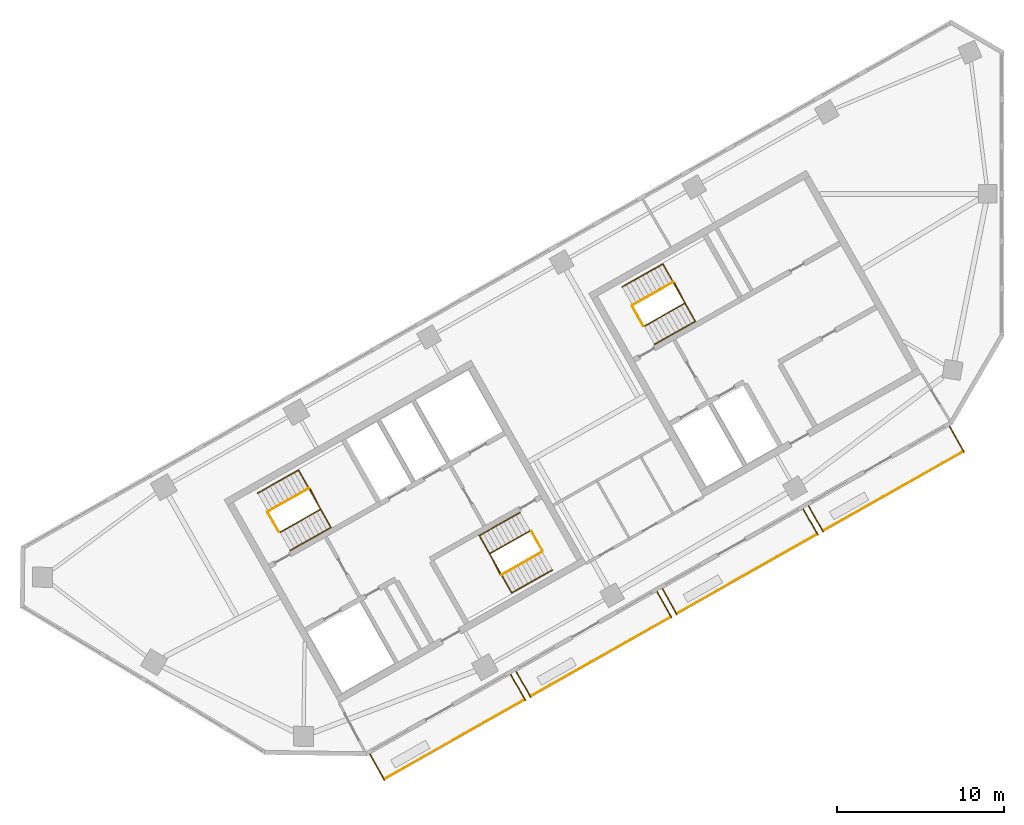
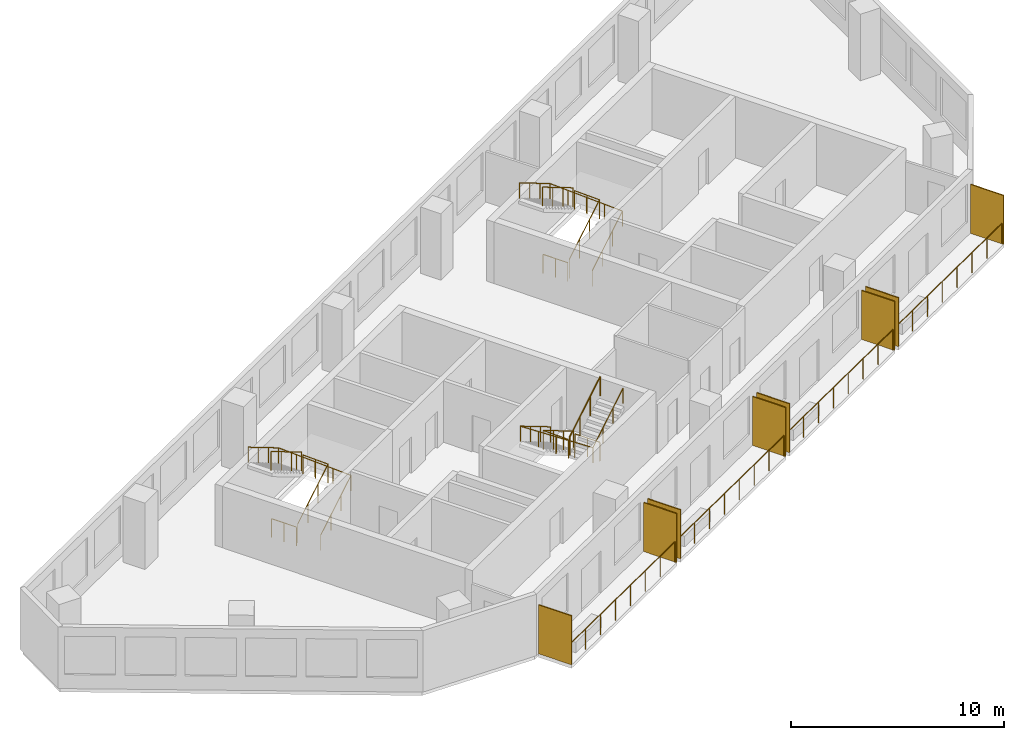
# One storey, part 6 of 7: 16 railings, 8 shading devices.
"""IFC4 building model written with IfcOpenShell, lengths in metres."""

from ifc_helpers import new_model, si_unit, direction, frame, origin, origin_2d, place, context, subcontext, project, spatial, rectangle, circle, extrude, material, layer, layer_set, type_object, element, save


model = new_model("IFC4")

# Units and contexts
model_context = context("Model", 3, precision=1e-05, world=origin(), true_north=direction((0.0, 1.0)))
body_context = subcontext(model_context, "Body", "Model", "MODEL_VIEW")
ifc_project = project(units=[si_unit("LENGTHUNIT", "METRE"), si_unit("AREAUNIT", "SQUARE_METRE"), si_unit("VOLUMEUNIT", "CUBIC_METRE"), si_unit("PLANEANGLEUNIT", "RADIAN"), si_unit("MASSUNIT", "GRAM", prefix="KILO")], contexts=[model_context])

# Site, building, storey
site_placement = place(None, origin())
site = spatial("IfcSite", under=ifc_project, at=site_placement, CompositionType="ELEMENT")
building_placement = place(site_placement, origin())
building = spatial("IfcBuilding", under=site, at=building_placement, Name="Binnacle Exchange Tower", CompositionType="ELEMENT")
storey_placement = place(building_placement, frame((0.0, 0.0, 304.5)))
storey = spatial("IfcBuildingStorey", under=building, at=storey_placement, Name="L68", CompositionType="ELEMENT", Elevation=304.5)

# Railings
ifc_material_1 = material(Name="Bronze anodised aluminium frame", Category="aluminium")
railing_type_1 = type_object("IfcRailingType", Name="GUARD 1200", PredefinedType="GUARDRAIL", material=ifc_material_1)
for number, where, name in (
    (1, (-37.006591796875, 24.94287109375, 0.0), "Balcony guard H07-B00 L68"),
    (2, (-28.24365234375, 29.900634765625, 0.0), "Balcony guard H07-B01 L68"),
):
    element("IfcRailing", number, at=place(storey_placement, frame(where)), inside=storey, type_object=railing_type_1, Name=name, PredefinedType="GUARDRAIL", context=body_context, shape_type="SweptSolid", body=[
        extrude(circle(Radius=0.02392578125, at=origin_2d()), frame((0.0, 0.0, 1.17578125), z_axis=(0.870359171481, 0.492417417055, 0.0), x_axis=(-0.492417417055, 0.870359171481, 0.0)), (0.0, 0.0, 1.0), 9.648193359375),
        extrude(circle(Radius=0.02099609375, at=origin_2d()), origin(), (0.0, 0.0, 1.0), 1.15185546875),
        extrude(circle(Radius=0.02099609375, at=origin_2d()), frame((1.19970703125, 0.6787109375, 0.0)), (0.0, 0.0, 1.0), 1.15185546875),
        extrude(circle(Radius=0.02099609375, at=origin_2d()), frame((2.399169921875, 1.357421875, 0.0)), (0.0, 0.0, 1.0), 1.15185546875),
        extrude(circle(Radius=0.02099609375, at=origin_2d()), frame((3.598876953125, 2.0361328125, 0.0)), (0.0, 0.0, 1.0), 1.15185546875),
        extrude(circle(Radius=0.02099609375, at=origin_2d()), frame((4.798583984375, 2.71484375, 0.0)), (0.0, 0.0, 1.0), 1.15185546875),
        extrude(circle(Radius=0.02099609375, at=origin_2d()), frame((5.998291015625, 3.3935546875, 0.0)), (0.0, 0.0, 1.0), 1.15185546875),
        extrude(circle(Radius=0.02099609375, at=origin_2d()), frame((7.19775390625, 4.072265625, 0.0)), (0.0, 0.0, 1.0), 1.15185546875),
        extrude(circle(Radius=0.02099609375, at=origin_2d()), frame((8.3974609375, 4.7509765625, 0.0)), (0.0, 0.0, 1.0), 1.15185546875),
    ])
railing_1_placement = place(storey_placement, frame((-19.480712890625, 34.8583984375, 0.0)))
element("IfcRailing", 3, at=railing_1_placement, inside=storey, type_object=railing_type_1, Name="Balcony guard H07-B02 L68", PredefinedType="GUARDRAIL", context=body_context, shape_type="SweptSolid", body=[
    extrude(circle(Radius=0.02392578125, at=origin_2d()), frame((0.0, 0.0, 1.17578125), z_axis=(0.870342190373, 0.492447430349, 0.0), x_axis=(-0.492447430349, 0.870342190373, 0.0)), (0.0, 0.0, 1.0), 9.648193359375),
    extrude(circle(Radius=0.02099609375, at=origin_2d()), origin(), (0.0, 0.0, 1.0), 1.15185546875),
    extrude(circle(Radius=0.02099609375, at=origin_2d()), frame((1.19970703125, 0.6787109375, 0.0)), (0.0, 0.0, 1.0), 1.15185546875),
    extrude(circle(Radius=0.02099609375, at=origin_2d()), frame((2.399169921875, 1.357421875, 0.0)), (0.0, 0.0, 1.0), 1.15185546875),
    extrude(circle(Radius=0.02099609375, at=origin_2d()), frame((3.598876953125, 2.0361328125, 0.0)), (0.0, 0.0, 1.0), 1.15185546875),
    extrude(circle(Radius=0.02099609375, at=origin_2d()), frame((4.79833984375, 2.715087890625, 0.0)), (0.0, 0.0, 1.0), 1.15185546875),
    extrude(circle(Radius=0.02099609375, at=origin_2d()), frame((5.998046875, 3.393798828125, 0.0)), (0.0, 0.0, 1.0), 1.15185546875),
    extrude(circle(Radius=0.02099609375, at=origin_2d()), frame((7.197509765625, 4.072509765625, 0.0)), (0.0, 0.0, 1.0), 1.15185546875),
    extrude(circle(Radius=0.02099609375, at=origin_2d()), frame((8.397216796875, 4.751220703125, 0.0)), (0.0, 0.0, 1.0), 1.15185546875),
])
railing_2_placement = place(storey_placement, frame((-10.7177734375, 39.81640625, 0.0)))
element("IfcRailing", 4, at=railing_2_placement, inside=storey, type_object=railing_type_1, Name="Balcony guard H07-B03 L68", PredefinedType="GUARDRAIL", context=body_context, shape_type="SweptSolid", body=[
    extrude(circle(Radius=0.02392578125, at=origin_2d()), frame((0.0, 0.0, 1.17578125), z_axis=(0.870353035673, 0.492428262079, 0.0), x_axis=(-0.492428262079, 0.870353035673, 0.0)), (0.0, 0.0, 1.0), 9.64794921875),
    extrude(circle(Radius=0.02099609375, at=origin_2d()), origin(), (0.0, 0.0, 1.0), 1.15185546875),
    extrude(circle(Radius=0.02099609375, at=origin_2d()), frame((1.19970703125, 0.6787109375, 0.0)), (0.0, 0.0, 1.0), 1.15185546875),
    extrude(circle(Radius=0.02099609375, at=origin_2d()), frame((2.399169921875, 1.357421875, 0.0)), (0.0, 0.0, 1.0), 1.15185546875),
    extrude(circle(Radius=0.02099609375, at=origin_2d()), frame((3.598876953125, 2.0361328125, 0.0)), (0.0, 0.0, 1.0), 1.15185546875),
    extrude(circle(Radius=0.02099609375, at=origin_2d()), frame((4.79833984375, 2.71484375, 0.0)), (0.0, 0.0, 1.0), 1.15185546875),
    extrude(circle(Radius=0.02099609375, at=origin_2d()), frame((5.998046875, 3.3935546875, 0.0)), (0.0, 0.0, 1.0), 1.15185546875),
    extrude(circle(Radius=0.02099609375, at=origin_2d()), frame((7.197509765625, 4.072265625, 0.0)), (0.0, 0.0, 1.0), 1.15185546875),
    extrude(circle(Radius=0.02099609375, at=origin_2d()), frame((8.397216796875, 4.7509765625, 0.0)), (0.0, 0.0, 1.0), 1.15185546875),
])

# Shading devices
ifc_material_2 = material(Name="Bronze aluminium louvre", Category="aluminium")
ifc_layer = layer(ifc_material_2, 0.06005859375)
ifc_layer_set = layer_set([ifc_layer], Name="PLANTED SCREEN 60x2800")
shading_device_type = type_object("IfcShadingDeviceType", Name="PLANTED SCREEN 60x2800", PredefinedType="USERDEFINED", material=ifc_layer_set)
for number, where, z_axis, x_axis, name in (
    (5, (-37.436279296875, 25.641845703125, 0.0), (0.0, 0.0, 1.0), (0.87035569594, 0.492423560103, 0.0), "Planted screen H07-B00a L68"),
    (6, (-28.98681640625, 30.42236328125, 0.0), (0.0, 0.0, 1.0), (0.87035569594, 0.492423560103, 0.0), "Planted screen H07-B00b L68"),
    (7, (-28.673583984375, 30.599609375, 0.0), (0.0, 0.0, 1.0), (0.87035569594, 0.492423560103, 0.0), "Planted screen H07-B01a L68"),
    (8, (-20.223876953125, 35.380126953125, 0.0), (0.0, 0.0, 1.0), (0.87035569594, 0.492423560103, 0.0), "Planted screen H07-B01b L68"),
    (9, (-19.91064453125, 35.5576171875, 0.0), (0.0, 0.0, 1.0), (0.87035569594, 0.492423560103, 0.0), "Planted screen H07-B02a L68"),
    (10, (-11.461181640625, 40.337890625, 0.0), (0.0, 0.0, 1.0), (0.87035569594, 0.492423560103, 0.0), "Planted screen H07-B02b L68"),
    (11, (-11.147705078125, 40.51513671875, 0.0), (0.0, 0.0, 1.0), (0.87035569594, 0.492423560103, 0.0), "Planted screen H07-B03a L68"),
    (12, (-2.697998046875, 45.2958984375, 0.0), (0.0, 0.0, 1.0), (0.87035569594, 0.492423560103, 0.0), "Planted screen H07-B03b L68"),
):
    element("IfcShadingDevice", number, at=place(storey_placement, frame(where, z_axis=z_axis, x_axis=x_axis)), inside=storey, type_object=shading_device_type, Name=name, ObjectType="SCREEN", PredefinedType="USERDEFINED", context=body_context, shape_type="SweptSolid", body=[
        extrude(rectangle(XDim=0.06005859375, YDim=1.800048828125, at=origin_2d()), origin(), (0.0, 0.0, 1.0), 2.800048828125),
    ])

# Railings
ifc_material_3 = material(Name="Steel guard rail", Category="steel")
railing_type_2 = type_object("IfcRailingType", Name="STAIR GUARD 1100", PredefinedType="GUARDRAIL", material=ifc_material_3)
railing_3_placement = place(storey_placement, frame((-43.26171875, 39.71728515625, 0.172607421875)))
element("IfcRailing", 13, at=railing_3_placement, inside=storey, type_object=railing_type_2, Name="L68 STA1 stair guard 1", PredefinedType="GUARDRAIL", context=body_context, shape_type="SweptSolid", body=[
    extrude(circle(Radius=0.02392578125, at=origin_2d()), frame((0.0, 0.0, 1.076171875), z_axis=(0.740737961854, 0.419123222656, 0.525017138862), x_axis=(-0.492453686477, 0.870338650569, 0.0)), (0.0, 0.0, 1.0), 3.2900390625),
    extrude(circle(Radius=0.02392578125, at=origin_2d()), frame((2.43701171875, 1.37890625, 2.80322265625), z_axis=(-0.461100321709, 0.887348011391, 0.0), x_axis=(-0.887348011391, -0.461100321709, 0.0)), (0.0, 0.0, 1.0), 1.40087890625),
    extrude(circle(Radius=0.02099609375, at=origin_2d()), origin(), (0.0, 0.0, 1.0), 1.052001953125),
    extrude(circle(Radius=0.02099609375, at=origin_2d()), frame((0.812255859375, 0.459716796875, 0.57568359375)), (0.0, 0.0, 1.0), 1.052001953125),
    extrude(circle(Radius=0.02099609375, at=origin_2d()), frame((1.624755859375, 0.919189453125, 1.151611328125)), (0.0, 0.0, 1.0), 1.052001953125),
    extrude(circle(Radius=0.02099609375, at=origin_2d()), frame((2.43701171875, 1.37890625, 1.727294921875)), (0.0, 0.0, 1.0), 1.052001953125),
    extrude(circle(Radius=0.02099609375, at=origin_2d()), frame((2.114013671875, 2.00048828125, 1.727294921875)), (0.0, 0.0, 1.0), 1.052001953125),
    extrude(circle(Radius=0.02099609375, at=origin_2d()), frame((1.791015625, 2.6220703125, 1.727294921875)), (0.0, 0.0, 1.0), 1.052001953125),
])
railing_4_placement = place(storey_placement, frame((-41.538818359375, 42.358154296875, 2.07275390625)))
element("IfcRailing", 14, at=railing_4_placement, inside=storey, type_object=railing_type_2, Name="L68 STA1 stair guard 2", PredefinedType="GUARDRAIL", context=body_context, shape_type="SweptSolid", body=[
    extrude(circle(Radius=0.02392578125, at=origin_2d()), frame((0.0, 0.0, 1.076171875), z_axis=(-0.740737961854, -0.419123222656, 0.525017138862), x_axis=(0.492453686477, -0.870338650569, 0.0)), (0.0, 0.0, 1.0), 3.2900390625),
    extrude(circle(Radius=0.02099609375, at=origin_2d()), origin(), (0.0, 0.0, 1.0), 1.052001953125),
    extrude(circle(Radius=0.02099609375, at=origin_2d()), frame((-0.812255859375, -0.459716796875, 0.57568359375)), (0.0, 0.0, 1.0), 1.052001953125),
    extrude(circle(Radius=0.02099609375, at=origin_2d()), frame((-1.624755859375, -0.919189453125, 1.151611328125)), (0.0, 0.0, 1.0), 1.052001953125),
    extrude(circle(Radius=0.02099609375, at=origin_2d()), frame((-2.43701171875, -1.37890625, 1.727294921875)), (0.0, 0.0, 1.0), 1.052001953125),
])
railing_5_placement = place(storey_placement, frame((-43.329833984375, 39.736328125, 0.0)))
element("IfcRailing", 15, at=railing_5_placement, inside=storey, type_object=railing_type_2, Name="L68 STA1 stair guard 3", PredefinedType="GUARDRAIL", context=body_context, shape_type="SweptSolid", body=[
    extrude(circle(Radius=0.02392578125, at=origin_2d()), frame((0.0, 0.0, 1.076171875), z_axis=(-0.4924922531, 0.870316827734, 0.0), x_axis=(-0.870316827734, -0.4924922531, 0.0)), (0.0, 0.0, 1.0), 1.349853515625),
    extrude(circle(Radius=0.02099609375, at=origin_2d()), origin(), (0.0, 0.0, 1.0), 1.052001953125),
    extrude(circle(Radius=0.02099609375, at=origin_2d()), frame((-0.33251953125, 0.58740234375, 0.0)), (0.0, 0.0, 1.0), 1.052001953125),
    extrude(circle(Radius=0.02099609375, at=origin_2d()), frame((-0.664794921875, 1.1748046875, 0.0)), (0.0, 0.0, 1.0), 1.052001953125),
])
railing_6_placement = place(storey_placement, frame((-28.265380859375, 39.814453125, 0.172607421875)))
element("IfcRailing", 16, at=railing_6_placement, inside=storey, type_object=railing_type_2, Name="L68 STA2 stair guard 1", PredefinedType="GUARDRAIL", context=body_context, shape_type="SweptSolid", body=[
    extrude(circle(Radius=0.02392578125, at=origin_2d()), frame((0.0, 0.0, 1.076171875), z_axis=(-0.740760999345, -0.419062048017, 0.525033467278), x_axis=(0.492387636113, -0.870376019777, 0.0)), (0.0, 0.0, 1.0), 3.289794921875),
    extrude(circle(Radius=0.02392578125, at=origin_2d()), frame((-2.43701171875, -1.378662109375, 2.80322265625), z_axis=(0.460963092712, -0.887419307406, 0.0), x_axis=(0.887419307406, 0.460963092712, 0.0)), (0.0, 0.0, 1.0), 1.40087890625),
    extrude(circle(Radius=0.02099609375, at=origin_2d()), origin(), (0.0, 0.0, 1.0), 1.052001953125),
    extrude(circle(Radius=0.02099609375, at=origin_2d()), frame((-0.812255859375, -0.45947265625, 0.57568359375)), (0.0, 0.0, 1.0), 1.052001953125),
    extrude(circle(Radius=0.02099609375, at=origin_2d()), frame((-1.624755859375, -0.919189453125, 1.151611328125)), (0.0, 0.0, 1.0), 1.052001953125),
    extrude(circle(Radius=0.02099609375, at=origin_2d()), frame((-2.43701171875, -1.378662109375, 1.727294921875)), (0.0, 0.0, 1.0), 1.052001953125),
    extrude(circle(Radius=0.02099609375, at=origin_2d()), frame((-2.1142578125, -2.000244140625, 1.727294921875)), (0.0, 0.0, 1.0), 1.052001953125),
    extrude(circle(Radius=0.02099609375, at=origin_2d()), frame((-1.791259765625, -2.621826171875, 1.727294921875)), (0.0, 0.0, 1.0), 1.052001953125),
])
railing_7_placement = place(storey_placement, frame((-29.988525390625, 37.173583984375, 2.07275390625)))
element("IfcRailing", 17, at=railing_7_placement, inside=storey, type_object=railing_type_2, Name="L68 STA2 stair guard 2", PredefinedType="GUARDRAIL", context=body_context, shape_type="SweptSolid", body=[
    extrude(circle(Radius=0.02392578125, at=origin_2d()), frame((0.0, 0.0, 1.076171875), z_axis=(0.740737961854, 0.419123222656, 0.525017138862), x_axis=(-0.492453686477, 0.870338650569, 0.0)), (0.0, 0.0, 1.0), 3.2900390625),
    extrude(circle(Radius=0.02099609375, at=origin_2d()), origin(), (0.0, 0.0, 1.0), 1.052001953125),
    extrude(circle(Radius=0.02099609375, at=origin_2d()), frame((0.812255859375, 0.459716796875, 0.57568359375)), (0.0, 0.0, 1.0), 1.052001953125),
    extrude(circle(Radius=0.02099609375, at=origin_2d()), frame((1.624755859375, 0.919189453125, 1.151611328125)), (0.0, 0.0, 1.0), 1.052001953125),
    extrude(circle(Radius=0.02099609375, at=origin_2d()), frame((2.43701171875, 1.37890625, 1.727294921875)), (0.0, 0.0, 1.0), 1.052001953125),
])
railing_8_placement = place(storey_placement, frame((-28.197265625, 39.795654296875, 0.0)))
element("IfcRailing", 18, at=railing_8_placement, inside=storey, type_object=railing_type_2, Name="L68 STA2 stair guard 3", PredefinedType="GUARDRAIL", context=body_context, shape_type="SweptSolid", body=[
    extrude(circle(Radius=0.02392578125, at=origin_2d()), frame((0.0, 0.0, 1.076171875), z_axis=(0.49241474071, -0.870360685654, 0.0), x_axis=(0.870360685654, 0.49241474071, 0.0)), (0.0, 0.0, 1.0), 1.35009765625),
    extrude(circle(Radius=0.02099609375, at=origin_2d()), origin(), (0.0, 0.0, 1.0), 1.052001953125),
    extrude(circle(Radius=0.02099609375, at=origin_2d()), frame((0.33251953125, -0.58740234375, 0.0)), (0.0, 0.0, 1.0), 1.052001953125),
    extrude(circle(Radius=0.02099609375, at=origin_2d()), frame((0.664794921875, -1.175048828125, 0.0)), (0.0, 0.0, 1.0), 1.052001953125),
])
railing_9_placement = place(storey_placement, frame((-21.423828125, 52.07275390625, 0.172607421875)))
element("IfcRailing", 19, at=railing_9_placement, inside=storey, type_object=railing_type_2, Name="L68 STC1 stair guard 1", PredefinedType="GUARDRAIL", context=body_context, shape_type="SweptSolid", body=[
    extrude(circle(Radius=0.02392578125, at=origin_2d()), frame((0.0, 0.0, 1.076171875), z_axis=(0.740760999345, 0.419062048017, 0.525033467278), x_axis=(-0.492387636113, 0.870376019777, 0.0)), (0.0, 0.0, 1.0), 3.289794921875),
    extrude(circle(Radius=0.02392578125, at=origin_2d()), frame((2.43701171875, 1.378662109375, 2.80322265625), z_axis=(-0.460963092712, 0.887419307406, 0.0), x_axis=(-0.887419307406, -0.460963092712, 0.0)), (0.0, 0.0, 1.0), 1.40087890625),
    extrude(circle(Radius=0.02099609375, at=origin_2d()), origin(), (0.0, 0.0, 1.0), 1.052001953125),
    extrude(circle(Radius=0.02099609375, at=origin_2d()), frame((0.812255859375, 0.45947265625, 0.57568359375)), (0.0, 0.0, 1.0), 1.052001953125),
    extrude(circle(Radius=0.02099609375, at=origin_2d()), frame((1.624755859375, 0.919189453125, 1.151611328125)), (0.0, 0.0, 1.0), 1.052001953125),
    extrude(circle(Radius=0.02099609375, at=origin_2d()), frame((2.43701171875, 1.378662109375, 1.727294921875)), (0.0, 0.0, 1.0), 1.052001953125),
    extrude(circle(Radius=0.02099609375, at=origin_2d()), frame((2.1142578125, 2.000244140625, 1.727294921875)), (0.0, 0.0, 1.0), 1.052001953125),
    extrude(circle(Radius=0.02099609375, at=origin_2d()), frame((1.791259765625, 2.621826171875, 1.727294921875)), (0.0, 0.0, 1.0), 1.052001953125),
])
railing_10_placement = place(storey_placement, frame((-19.70068359375, 54.71337890625, 2.07275390625)))
element("IfcRailing", 20, at=railing_10_placement, inside=storey, type_object=railing_type_2, Name="L68 STC1 stair guard 2", PredefinedType="GUARDRAIL", context=body_context, shape_type="SweptSolid", body=[
    extrude(circle(Radius=0.02392578125, at=origin_2d()), frame((0.0, 0.0, 1.076171875), z_axis=(-0.740760999345, -0.419062048017, 0.525033467278), x_axis=(0.492387636113, -0.870376019777, 0.0)), (0.0, 0.0, 1.0), 3.289794921875),
    extrude(circle(Radius=0.02099609375, at=origin_2d()), origin(), (0.0, 0.0, 1.0), 1.052001953125),
    extrude(circle(Radius=0.02099609375, at=origin_2d()), frame((-0.812255859375, -0.45947265625, 0.57568359375)), (0.0, 0.0, 1.0), 1.052001953125),
    extrude(circle(Radius=0.02099609375, at=origin_2d()), frame((-1.624755859375, -0.919189453125, 1.151611328125)), (0.0, 0.0, 1.0), 1.052001953125),
    extrude(circle(Radius=0.02099609375, at=origin_2d()), frame((-2.43701171875, -1.378662109375, 1.727294921875)), (0.0, 0.0, 1.0), 1.052001953125),
])
railing_11_placement = place(storey_placement, frame((-21.491943359375, 52.091552734375, 0.0)))
element("IfcRailing", 21, at=railing_11_placement, inside=storey, type_object=railing_type_2, Name="L68 STC1 stair guard 3", PredefinedType="GUARDRAIL", context=body_context, shape_type="SweptSolid", body=[
    extrude(circle(Radius=0.02392578125, at=origin_2d()), frame((0.0, 0.0, 1.076171875), z_axis=(-0.49241474071, 0.870360685654, 0.0), x_axis=(-0.870360685654, -0.49241474071, 0.0)), (0.0, 0.0, 1.0), 1.35009765625),
    extrude(circle(Radius=0.02099609375, at=origin_2d()), origin(), (0.0, 0.0, 1.0), 1.052001953125),
    extrude(circle(Radius=0.02099609375, at=origin_2d()), frame((-0.33251953125, 0.58740234375, 0.0)), (0.0, 0.0, 1.0), 1.052001953125),
    extrude(circle(Radius=0.02099609375, at=origin_2d()), frame((-0.664794921875, 1.175048828125, 0.0)), (0.0, 0.0, 1.0), 1.052001953125),
])
ifc_material_4 = material(Name="Steel handrail", Category="steel")
railing_type_3 = type_object("IfcRailingType", Name="STAIR HANDRAIL 900", PredefinedType="HANDRAIL", material=ifc_material_4)
railing_12_placement = place(storey_placement, frame((-42.646240234375, 38.62939453125, 0.172607421875)))
element("IfcRailing", 22, at=railing_12_placement, inside=storey, type_object=railing_type_3, Name="L68 STA1 stair handrail 1", PredefinedType="HANDRAIL", context=body_context, shape_type="SweptSolid", body=[
    extrude(circle(Radius=0.02392578125, at=origin_2d()), frame((0.0, 0.0, 0.8759765625), z_axis=(0.740760999345, 0.419062048017, 0.525033467278), x_axis=(-0.492387636113, 0.870376019777, 0.0)), (0.0, 0.0, 1.0), 3.289794921875),
    extrude(circle(Radius=0.02392578125, at=origin_2d()), frame((2.43701171875, 1.378662109375, 2.60302734375), z_axis=(-0.491942846455, 0.869529203437, 0.043717275673), x_axis=(-0.870361318571, -0.492413622004, 0.0)), (0.0, 0.0, 1.0), 3.953857421875),
    extrude(circle(Radius=0.02392578125, at=origin_2d()), frame((0.491943359375, 4.816650390625, 2.77587890625), z_axis=(-0.740760999345, -0.419062048017, 0.525033467278), x_axis=(0.492387636113, -0.870376019777, 0.0)), (0.0, 0.0, 1.0), 3.289794921875),
    extrude(circle(Radius=0.02099609375, at=origin_2d()), origin(), (0.0, 0.0, 1.0), 0.851806640625),
    extrude(circle(Radius=0.02099609375, at=origin_2d()), frame((0.812255859375, 0.45947265625, 0.57568359375)), (0.0, 0.0, 1.0), 0.851806640625),
    extrude(circle(Radius=0.02099609375, at=origin_2d()), frame((1.624755859375, 0.919189453125, 1.151611328125)), (0.0, 0.0, 1.0), 0.851806640625),
    extrude(circle(Radius=0.02099609375, at=origin_2d()), frame((2.43701171875, 1.378662109375, 1.727294921875)), (0.0, 0.0, 1.0), 0.851806640625),
    extrude(circle(Radius=0.02099609375, at=origin_2d()), frame((1.95068359375, 2.23828125, 1.7705078125)), (0.0, 0.0, 1.0), 0.851806640625),
    extrude(circle(Radius=0.02099609375, at=origin_2d()), frame((1.46435546875, 3.09765625, 1.813720703125)), (0.0, 0.0, 1.0), 0.851806640625),
    extrude(circle(Radius=0.02099609375, at=origin_2d()), frame((0.978271484375, 3.95703125, 1.85693359375)), (0.0, 0.0, 1.0), 0.851806640625),
    extrude(circle(Radius=0.02099609375, at=origin_2d()), frame((0.491943359375, 4.816650390625, 1.900146484375)), (0.0, 0.0, 1.0), 0.851806640625),
    extrude(circle(Radius=0.02099609375, at=origin_2d()), frame((-0.3203125, 4.357177734375, 2.475830078125)), (0.0, 0.0, 1.0), 0.851806640625),
    extrude(circle(Radius=0.02099609375, at=origin_2d()), frame((-1.1328125, 3.8974609375, 3.0517578125)), (0.0, 0.0, 1.0), 0.851806640625),
    extrude(circle(Radius=0.02099609375, at=origin_2d()), frame((-1.945068359375, 3.43798828125, 3.62744140625)), (0.0, 0.0, 1.0), 0.851806640625),
])
railing_13_placement = place(storey_placement, frame((-28.880859375, 40.90234375, 0.172607421875)))
element("IfcRailing", 23, at=railing_13_placement, inside=storey, type_object=railing_type_3, Name="L68 STA2 stair handrail 1", PredefinedType="HANDRAIL", context=body_context, shape_type="SweptSolid", body=[
    extrude(circle(Radius=0.02392578125, at=origin_2d()), frame((0.0, 0.0, 0.8759765625), z_axis=(-0.740760999345, -0.419062048017, 0.525033467278), x_axis=(0.492387636113, -0.870376019777, 0.0)), (0.0, 0.0, 1.0), 3.289794921875),
    extrude(circle(Radius=0.02392578125, at=origin_2d()), frame((-2.43701171875, -1.378662109375, 2.60302734375), z_axis=(0.491942846455, -0.869529203437, 0.043717275673), x_axis=(0.870361318571, 0.492413622004, 0.0)), (0.0, 0.0, 1.0), 3.953857421875),
    extrude(circle(Radius=0.02392578125, at=origin_2d()), frame((-0.491943359375, -4.816650390625, 2.77587890625), z_axis=(0.740737961854, 0.419123222656, 0.525017138862), x_axis=(-0.492453686477, 0.870338650569, 0.0)), (0.0, 0.0, 1.0), 3.2900390625),
    extrude(circle(Radius=0.02099609375, at=origin_2d()), origin(), (0.0, 0.0, 1.0), 0.851806640625),
    extrude(circle(Radius=0.02099609375, at=origin_2d()), frame((-0.812255859375, -0.45947265625, 0.57568359375)), (0.0, 0.0, 1.0), 0.851806640625),
    extrude(circle(Radius=0.02099609375, at=origin_2d()), frame((-1.624755859375, -0.919189453125, 1.151611328125)), (0.0, 0.0, 1.0), 0.851806640625),
    extrude(circle(Radius=0.02099609375, at=origin_2d()), frame((-2.43701171875, -1.378662109375, 1.727294921875)), (0.0, 0.0, 1.0), 0.851806640625),
    extrude(circle(Radius=0.02099609375, at=origin_2d()), frame((-1.95068359375, -2.23828125, 1.7705078125)), (0.0, 0.0, 1.0), 0.851806640625),
    extrude(circle(Radius=0.02099609375, at=origin_2d()), frame((-1.46435546875, -3.09765625, 1.813720703125)), (0.0, 0.0, 1.0), 0.851806640625),
    extrude(circle(Radius=0.02099609375, at=origin_2d()), frame((-0.978271484375, -3.95703125, 1.85693359375)), (0.0, 0.0, 1.0), 0.851806640625),
    extrude(circle(Radius=0.02099609375, at=origin_2d()), frame((-0.491943359375, -4.816650390625, 1.900146484375)), (0.0, 0.0, 1.0), 0.851806640625),
    extrude(circle(Radius=0.02099609375, at=origin_2d()), frame((0.3203125, -4.35693359375, 2.475830078125)), (0.0, 0.0, 1.0), 0.851806640625),
    extrude(circle(Radius=0.02099609375, at=origin_2d()), frame((1.1328125, -3.8974609375, 3.0517578125)), (0.0, 0.0, 1.0), 0.851806640625),
    extrude(circle(Radius=0.02099609375, at=origin_2d()), frame((1.945068359375, -3.437744140625, 3.62744140625)), (0.0, 0.0, 1.0), 0.851806640625),
])
railing_14_placement = place(storey_placement, frame((-20.808349609375, 50.984619140625, 0.172607421875)))
element("IfcRailing", 24, at=railing_14_placement, inside=storey, type_object=railing_type_3, Name="L68 STC1 stair handrail 1", PredefinedType="HANDRAIL", context=body_context, shape_type="SweptSolid", body=[
    extrude(circle(Radius=0.02392578125, at=origin_2d()), frame((0.0, 0.0, 0.8759765625), z_axis=(0.740737961854, 0.419123222656, 0.525017138862), x_axis=(-0.492453686477, 0.870338650569, 0.0)), (0.0, 0.0, 1.0), 3.2900390625),
    extrude(circle(Radius=0.02392578125, at=origin_2d()), frame((2.43701171875, 1.37890625, 2.60302734375), z_axis=(-0.491969260701, 0.869514140822, 0.043719623017), x_axis=(-0.87034633103, -0.492440112159, 0.0)), (0.0, 0.0, 1.0), 3.95361328125),
    extrude(circle(Radius=0.02392578125, at=origin_2d()), frame((0.491943359375, 4.816650390625, 2.77587890625), z_axis=(-0.740760999345, -0.419062048017, 0.525033467278), x_axis=(0.492387636113, -0.870376019777, 0.0)), (0.0, 0.0, 1.0), 3.289794921875),
    extrude(circle(Radius=0.02099609375, at=origin_2d()), origin(), (0.0, 0.0, 1.0), 0.851806640625),
    extrude(circle(Radius=0.02099609375, at=origin_2d()), frame((0.812255859375, 0.459716796875, 0.57568359375)), (0.0, 0.0, 1.0), 0.851806640625),
    extrude(circle(Radius=0.02099609375, at=origin_2d()), frame((1.624755859375, 0.919189453125, 1.151611328125)), (0.0, 0.0, 1.0), 0.851806640625),
    extrude(circle(Radius=0.02099609375, at=origin_2d()), frame((2.43701171875, 1.37890625, 1.727294921875)), (0.0, 0.0, 1.0), 0.851806640625),
    extrude(circle(Radius=0.02099609375, at=origin_2d()), frame((1.95068359375, 2.23828125, 1.7705078125)), (0.0, 0.0, 1.0), 0.851806640625),
    extrude(circle(Radius=0.02099609375, at=origin_2d()), frame((1.46435546875, 3.09765625, 1.813720703125)), (0.0, 0.0, 1.0), 0.851806640625),
    extrude(circle(Radius=0.02099609375, at=origin_2d()), frame((0.978271484375, 3.957275390625, 1.85693359375)), (0.0, 0.0, 1.0), 0.851806640625),
    extrude(circle(Radius=0.02099609375, at=origin_2d()), frame((0.491943359375, 4.816650390625, 1.900146484375)), (0.0, 0.0, 1.0), 0.851806640625),
    extrude(circle(Radius=0.02099609375, at=origin_2d()), frame((-0.3203125, 4.357177734375, 2.475830078125)), (0.0, 0.0, 1.0), 0.851806640625),
    extrude(circle(Radius=0.02099609375, at=origin_2d()), frame((-1.1328125, 3.8974609375, 3.0517578125)), (0.0, 0.0, 1.0), 0.851806640625),
    extrude(circle(Radius=0.02099609375, at=origin_2d()), frame((-1.945068359375, 3.43798828125, 3.62744140625)), (0.0, 0.0, 1.0), 0.851806640625),
])

save(model, "model.ifc")
